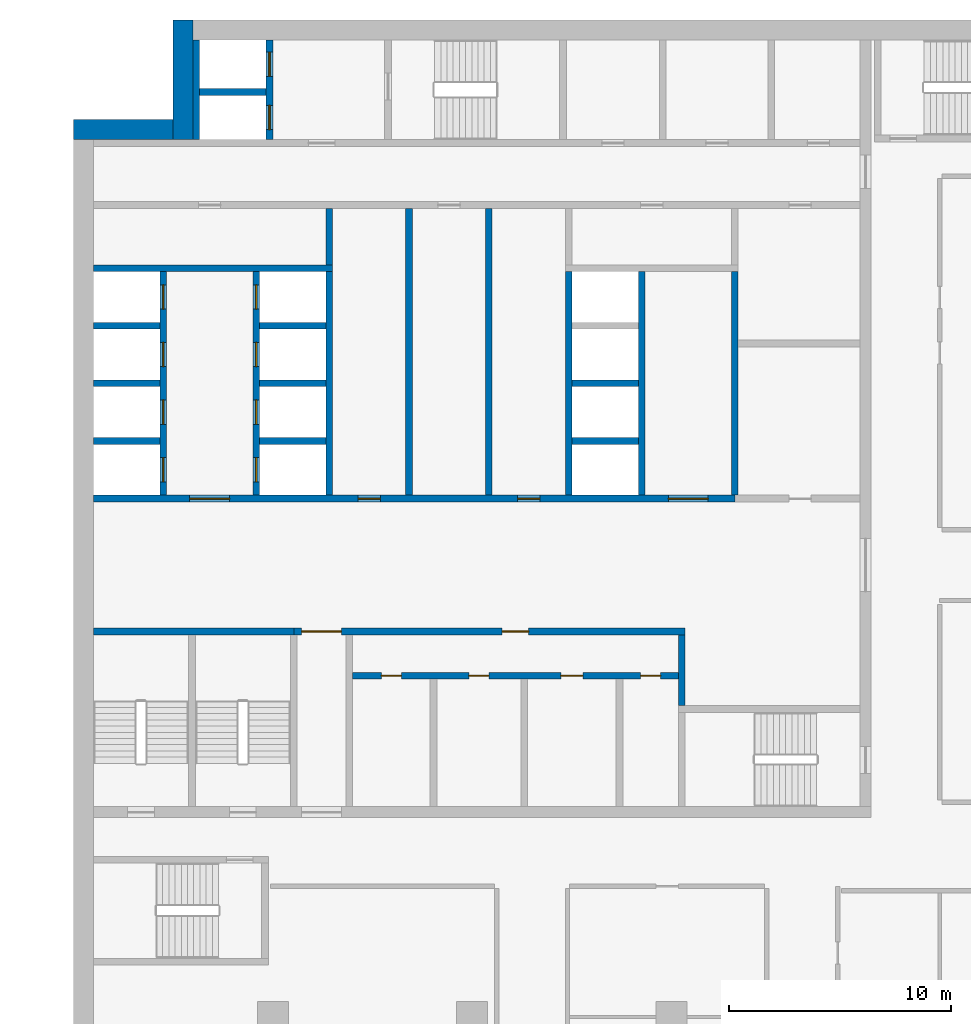
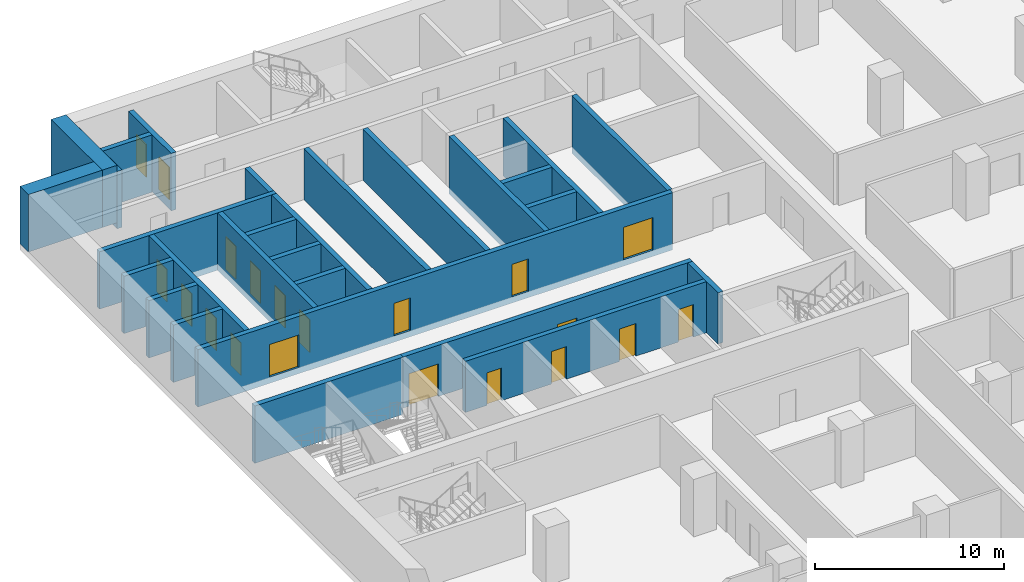
# One storey, part 14 of 29: 28 walls, 20 doors, 20 openings.
"""IFC4 building model written with IfcOpenShell, lengths in metres."""

from ifc_helpers import new_model, si_unit, direction, frame, frame_2d, origin, place, context, subcontext, project, spatial, rectangle, extrude, material, layer, layer_set, type_object, element, fill, save


model = new_model("IFC4")

# Units and contexts
model_context = context("Model", 3, precision=1e-05, world=origin(), true_north=direction((0.0, 1.0)))
body_context = subcontext(model_context, "Body", "Model", "MODEL_VIEW")
ifc_project = project(units=[si_unit("LENGTHUNIT", "METRE"), si_unit("AREAUNIT", "SQUARE_METRE"), si_unit("VOLUMEUNIT", "CUBIC_METRE"), si_unit("PLANEANGLEUNIT", "RADIAN"), si_unit("MASSUNIT", "GRAM", prefix="KILO")], contexts=[model_context])

# Site, building, storey
site_placement = place(None, origin())
site = spatial("IfcSite", under=ifc_project, at=site_placement, CompositionType="ELEMENT")
building_placement = place(site_placement, origin())
building = spatial("IfcBuilding", under=site, at=building_placement, Name="Hunhe Ridgeline Campus", CompositionType="ELEMENT")
storey_placement = place(building_placement, frame((0.0, 0.0, 46.89990234375)))
storey = spatial("IfcBuildingStorey", under=building, at=storey_placement, Name="L10", CompositionType="ELEMENT", Elevation=46.89990234375)

# Wall, openings, doors
ifc_material_1 = material(Name="Masonry concrete blockwork", Category="masonry")
ifc_layer_1 = layer(ifc_material_1, 0.300048828125)
ifc_layer_set_1 = layer_set([ifc_layer_1], Name="Core room partition 300 concrete block")
wall_type_1 = type_object("IfcWallType", Name="Core room partition 300 concrete block", PredefinedType="PARTITIONING", material=ifc_layer_set_1)
wall_1_placement = place(storey_placement, frame((12.60009765625, 69.39990234375, 0.0), z_axis=(0.0, 0.0, 1.0), x_axis=(1.0, 0.0, 0.0)))
wall_1 = element("IfcWall", 1, at=wall_1_placement, inside=storey, type_object=wall_type_1, Name="L10 core partition 11", PredefinedType="PARTITIONING", context=body_context, shape_type="SweptSolid", body=[
    extrude(rectangle(XDim=14.699951171875, YDim=0.300048828125, at=frame_2d((7.35009765625, 0.0))), origin(), (0.0, 0.0, 1.0), 3.300048828125),
])
opening_1_placement = place(wall_1_placement, frame((1.300048828125, 0.0, 0.0)))
opening_1 = element("IfcOpeningElement", 2, at=opening_1_placement, cuts=wall_1, Name="Opening CD8", PredefinedType="OPENING", context=body_context, shape_type="SweptSolid", body=[
    extrude(rectangle(XDim=0.89990234375, YDim=2.10009765625, at=frame_2d((0.449951171875, 1.050048828125))), frame((0.0, 0.14990234375, 0.0), z_axis=(0.0, -1.0, 0.0), x_axis=(1.0, 0.0, 0.0)), (0.0, 0.0, 1.0), 0.300048828125),
])
opening_2_placement = place(wall_1_placement, frame((5.25, 0.0, 0.0)))
opening_2 = element("IfcOpeningElement", 3, at=opening_2_placement, cuts=wall_1, Name="Opening CD9", PredefinedType="OPENING", context=body_context, shape_type="SweptSolid", body=[
    extrude(rectangle(XDim=0.89990234375, YDim=2.10009765625, at=frame_2d((0.449951171875, 1.050048828125))), frame((0.0, 0.14990234375, 0.0), z_axis=(0.0, -1.0, 0.0), x_axis=(1.0, 0.0, 0.0)), (0.0, 0.0, 1.0), 0.300048828125),
])
opening_3_placement = place(wall_1_placement, frame((9.39990234375, 0.0, 0.0)))
opening_3 = element("IfcOpeningElement", 4, at=opening_3_placement, cuts=wall_1, Name="Opening CD10", PredefinedType="OPENING", context=body_context, shape_type="SweptSolid", body=[
    extrude(rectangle(XDim=1.0, YDim=2.10009765625, at=frame_2d((0.5, 1.050048828125))), frame((0.0, 0.14990234375, 0.0), z_axis=(0.0, -1.0, 0.0), x_axis=(1.0, 0.0, 0.0)), (0.0, 0.0, 1.0), 0.300048828125),
])
opening_4_placement = place(wall_1_placement, frame((13.0, 0.0, 0.0)))
opening_4 = element("IfcOpeningElement", 5, at=opening_4_placement, cuts=wall_1, Name="Opening CD11", PredefinedType="OPENING", context=body_context, shape_type="SweptSolid", body=[
    extrude(rectangle(XDim=0.89990234375, YDim=2.10009765625, at=frame_2d((0.449951171875, 1.050048828125))), frame((0.0, 0.14990234375, 0.0), z_axis=(0.0, -1.0, 0.0), x_axis=(1.0, 0.0, 0.0)), (0.0, 0.0, 1.0), 0.300048828125),
])
ifc_material_2 = material(Name="Solid core timber door leaf", Category="wood")
door_type_1 = type_object("IfcDoorType", Name="Timber door 1000x2100", OperationType="SINGLE_SWING_LEFT", PredefinedType="DOOR", material=ifc_material_2)
door_1_placement = place(opening_3_placement, frame((1.0, 0.0, 0.0), z_axis=(0.0, 0.0, 1.0), x_axis=(-1.0, 0.0, 0.0)))
door_1 = element("IfcDoor", 6, at=door_1_placement, inside=storey, type_object=door_type_1, Name="L10 door WC3", OperationType="SINGLE_SWING_RIGHT", OverallHeight=2.10009765625, OverallWidth=1.0, PredefinedType="DOOR", context=body_context, shape_type="SweptSolid", body=[
    extrude(rectangle(XDim=1.0, YDim=2.10009765625, at=frame_2d((0.5, 1.050048828125))), frame((0.0, 0.02490234375, 0.0), z_axis=(0.0, -1.0, 0.0), x_axis=(1.0, 0.0, 0.0)), (0.0, 0.0, 1.0), 0.050048828125),
])
fill(opening_3, door_1)
door_type_2 = type_object("IfcDoorType", Name="Timber door 900x2100", OperationType="SINGLE_SWING_LEFT", PredefinedType="DOOR", material=ifc_material_2)
door_2_placement = place(opening_1_placement, frame((0.89990234375, 0.0, 0.0), z_axis=(0.0, 0.0, 1.0), x_axis=(-1.0, 0.0, 0.0)))
door_2 = element("IfcDoor", 7, at=door_2_placement, inside=storey, type_object=door_type_2, Name="L10 door WC1", OperationType="SINGLE_SWING_RIGHT", OverallHeight=2.10009765625, OverallWidth=0.89990234375, PredefinedType="DOOR", context=body_context, shape_type="SweptSolid", body=[
    extrude(rectangle(XDim=0.89990234375, YDim=2.10009765625, at=frame_2d((0.449951171875, 1.050048828125))), frame((0.0, 0.02490234375, 0.0), z_axis=(0.0, -1.0, 0.0), x_axis=(1.0, 0.0, 0.0)), (0.0, 0.0, 1.0), 0.050048828125),
])
fill(opening_1, door_2)
door_3_placement = place(opening_2_placement, frame((0.89990234375, 0.0, 0.0), z_axis=(0.0, 0.0, 1.0), x_axis=(-1.0, 0.0, 0.0)))
door_3 = element("IfcDoor", 8, at=door_3_placement, inside=storey, type_object=door_type_2, Name="L10 door WC2", OperationType="SINGLE_SWING_LEFT", OverallHeight=2.10009765625, OverallWidth=0.89990234375, PredefinedType="DOOR", context=body_context, shape_type="SweptSolid", body=[
    extrude(rectangle(XDim=0.89990234375, YDim=2.10009765625, at=frame_2d((0.449951171875, 1.050048828125))), frame((0.0, 0.02490234375, 0.0), z_axis=(0.0, -1.0, 0.0), x_axis=(1.0, 0.0, 0.0)), (0.0, 0.0, 1.0), 0.050048828125),
])
fill(opening_2, door_3)
door_4_placement = place(opening_4_placement, frame((0.89990234375, 0.0, 0.0), z_axis=(0.0, 0.0, 1.0), x_axis=(-1.0, 0.0, 0.0)))
door_4 = element("IfcDoor", 9, at=door_4_placement, inside=storey, type_object=door_type_2, Name="L10 door WC4", OperationType="SINGLE_SWING_LEFT", OverallHeight=2.10009765625, OverallWidth=0.89990234375, PredefinedType="DOOR", context=body_context, shape_type="SweptSolid", body=[
    extrude(rectangle(XDim=0.89990234375, YDim=2.10009765625, at=frame_2d((0.449951171875, 1.050048828125))), frame((0.0, 0.02490234375, 0.0), z_axis=(0.0, -1.0, 0.0), x_axis=(1.0, 0.0, 0.0)), (0.0, 0.0, 1.0), 0.050048828125),
])
fill(opening_4, door_4)

wall_2_placement = place(storey_placement, frame((9.949951171875, 71.39990234375, 0.0), z_axis=(0.0, 0.0, 1.0), x_axis=(1.0, 0.0, 0.0)))
wall_2 = element("IfcWall", 10, at=wall_2_placement, inside=storey, type_object=wall_type_1, Name="L10 core partition 13", PredefinedType="PARTITIONING", context=body_context, shape_type="SweptSolid", body=[
    extrude(rectangle(XDim=17.650146484375, YDim=0.300048828125, at=frame_2d((8.8251953125, 0.0))), origin(), (0.0, 0.0, 1.0), 3.300048828125),
])
opening_5_placement = place(wall_2_placement, frame((0.35009765625, 0.0, 0.0)))
opening_5 = element("IfcOpeningElement", 11, at=opening_5_placement, cuts=wall_2, Name="Opening CD7", PredefinedType="OPENING", context=body_context, shape_type="SweptSolid", body=[
    extrude(rectangle(XDim=1.800048828125, YDim=2.10009765625, at=frame_2d((0.89990234375, 1.050048828125))), frame((0.0, 0.14990234375, 0.0), z_axis=(0.0, -1.0, 0.0), x_axis=(1.0, 0.0, 0.0)), (0.0, 0.0, 1.0), 0.300048828125),
])
opening_6_placement = place(wall_2_placement, frame((9.39990234375, 0.0, 0.0)))
opening_6 = element("IfcOpeningElement", 12, at=opening_6_placement, cuts=wall_2, Name="Opening CD12", PredefinedType="OPENING", context=body_context, shape_type="SweptSolid", body=[
    extrude(rectangle(XDim=1.199951171875, YDim=2.10009765625, at=frame_2d((0.60009765625, 1.050048828125))), frame((0.0, 0.14990234375, 0.0), z_axis=(0.0, -1.0, 0.0), x_axis=(1.0, 0.0, 0.0)), (0.0, 0.0, 1.0), 0.300048828125),
])
ifc_material_3 = material(Name="Anodised aluminium and glass", Category="aluminium")
door_type_3 = type_object("IfcDoorType", Name="Glazed double door 1800x2100", OperationType="DOUBLE_DOOR_SINGLE_SWING", PredefinedType="DOOR", material=ifc_material_3)
door_5_placement = place(opening_5_placement, origin())
door_5 = element("IfcDoor", 13, at=door_5_placement, inside=storey, type_object=door_type_3, Name="L10 door VEST-HALL", OperationType="DOUBLE_DOOR_SINGLE_SWING", OverallHeight=2.10009765625, OverallWidth=1.800048828125, PredefinedType="DOOR", context=body_context, shape_type="SweptSolid", body=[
    extrude(rectangle(XDim=1.800048828125, YDim=2.10009765625, at=frame_2d((0.89990234375, 1.050048828125))), frame((0.0, 0.02490234375, 0.0), z_axis=(0.0, -1.0, 0.0), x_axis=(1.0, 0.0, 0.0)), (0.0, 0.0, 1.0), 0.050048828125),
])
fill(opening_5, door_5)
door_type_4 = type_object("IfcDoorType", Name="Timber door 1200x2100", OperationType="SINGLE_SWING_LEFT", PredefinedType="DOOR", material=ifc_material_2)
door_6_placement = place(opening_6_placement, origin())
door_6 = element("IfcDoor", 14, at=door_6_placement, inside=storey, type_object=door_type_4, Name="L10 door WCL2-HALL", OperationType="SINGLE_SWING_LEFT", OverallHeight=2.10009765625, OverallWidth=1.199951171875, PredefinedType="DOOR", context=body_context, shape_type="SweptSolid", body=[
    extrude(rectangle(XDim=1.199951171875, YDim=2.10009765625, at=frame_2d((0.60009765625, 1.050048828125))), frame((0.0, 0.02490234375, 0.0), z_axis=(0.0, -1.0, 0.0), x_axis=(1.0, 0.0, 0.0)), (0.0, 0.0, 1.0), 0.050048828125),
])
fill(opening_6, door_6)

# Walls
wall_3_placement = place(storey_placement, frame((11.550048828125, 87.949951171875, 0.0), z_axis=(0.0, 0.0, 1.0), x_axis=(0.0, 1.0, 0.0)))
element("IfcWall", 15, at=wall_3_placement, inside=storey, type_object=wall_type_1, Name="L10 core partition 44", PredefinedType="PARTITIONING", context=body_context, shape_type="SweptSolid", body=[
    extrude(rectangle(XDim=2.550048828125, YDim=0.300048828125, at=frame_2d((1.27490234375, 0.0))), origin(), (0.0, 0.0, 1.0), 3.300048828125),
])
for number, where, z_axis, x_axis, name in (
    (16, (15.14990234375, 77.550048828125, 0.0), (0.0, 0.0, 1.0), (0.0, 1.0, 0.0), "L10 core partition 47"),
    (17, (18.75, 77.550048828125, 0.0), (0.0, 0.0, 1.0), (0.0, 1.0, 0.0), "L10 core partition 49"),
):
    element("IfcWall", number, at=place(storey_placement, frame(where, z_axis=z_axis, x_axis=x_axis)), inside=storey, type_object=wall_type_1, Name=name, PredefinedType="PARTITIONING", context=body_context, shape_type="SweptSolid", body=[
        extrude(rectangle(XDim=12.949951171875, YDim=0.300048828125, at=frame_2d((6.47509765625, 0.0))), origin(), (0.0, 0.0, 1.0), 3.300048828125),
    ])
wall_4_placement = place(storey_placement, frame((27.449951171875, 68.050048828125, 0.0), z_axis=(0.0, 0.0, 1.0), x_axis=(0.0, 1.0, 0.0)))
element("IfcWall", 18, at=wall_4_placement, inside=storey, type_object=wall_type_1, Name="L10 core partition 60", PredefinedType="PARTITIONING", context=body_context, shape_type="SweptSolid", body=[
    extrude(rectangle(XDim=3.199951171875, YDim=0.300048828125, at=frame_2d((1.60009765625, 0.0))), origin(), (0.0, 0.0, 1.0), 3.300048828125),
])
ifc_material_4 = material(Name="Concrete C80", Category="concrete")
ifc_layer_2 = layer(ifc_material_4, 0.300048828125)
ifc_layer_set_2 = layer_set([ifc_layer_2], Name="Lobby wall 300 reinforced concrete C80")
wall_type_2 = type_object("IfcWallType", Name="Lobby wall 300 reinforced concrete C80", PredefinedType="SOLIDWALL", material=ifc_layer_set_2)
wall_5_placement = place(storey_placement, frame((29.85009765625, 77.550048828125, -0.39990234375), z_axis=(0.0, 0.0, 1.0), x_axis=(0.0, 1.0, 0.0)))
element("IfcWall", 19, at=wall_5_placement, inside=storey, type_object=wall_type_2, Name="L10 core wall 61", PredefinedType="SOLIDWALL", context=body_context, shape_type="SweptSolid", body=[
    extrude(rectangle(XDim=10.099853515625, YDim=0.300048828125, at=frame_2d((5.0498046875, 0.0))), origin(), (0.0, 0.0, 1.0), 3.699951171875),
])

# Wall, openings, doors
ifc_layer_3 = layer(ifc_material_4, 0.300048828125)
ifc_layer_set_3 = layer_set([ifc_layer_3], Name="Shaft wall 300 reinforced concrete C80")
wall_type_3 = type_object("IfcWallType", Name="Shaft wall 300 reinforced concrete C80", PredefinedType="SOLIDWALL", material=ifc_layer_set_3)
wall_6_placement = place(storey_placement, frame((0.89990234375, 77.39990234375, -0.39990234375), z_axis=(0.0, 0.0, 1.0), x_axis=(1.0, 0.0, 0.0)))
wall_6 = element("IfcWall", 20, at=wall_6_placement, inside=storey, type_object=wall_type_3, Name="L10 core wall 14", PredefinedType="SOLIDWALL", context=body_context, shape_type="SweptSolid", body=[
    extrude(rectangle(XDim=28.9501953125, YDim=0.300048828125, at=frame_2d((14.47509765625, 0.0))), origin(), (0.0, 0.0, 1.0), 3.699951171875),
])
opening_7_placement = place(wall_6_placement, frame((4.35009765625, 0.0, 0.39990234375)))
opening_7 = element("IfcOpeningElement", 21, at=opening_7_placement, cuts=wall_6, Name="Opening CD1", PredefinedType="OPENING", context=body_context, shape_type="SweptSolid", body=[
    extrude(rectangle(XDim=1.800048828125, YDim=2.10009765625, at=frame_2d((0.89990234375, 1.050048828125))), frame((0.0, 0.14990234375, 0.0), z_axis=(0.0, -1.0, 0.0), x_axis=(1.0, 0.0, 0.0)), (0.0, 0.0, 1.0), 0.300048828125),
])
opening_8_placement = place(wall_6_placement, frame((25.949951171875, 0.0, 0.39990234375)))
opening_8 = element("IfcOpeningElement", 22, at=opening_8_placement, cuts=wall_6, Name="Opening CD2", PredefinedType="OPENING", context=body_context, shape_type="SweptSolid", body=[
    extrude(rectangle(XDim=1.800048828125, YDim=2.10009765625, at=frame_2d((0.89990234375, 1.050048828125))), frame((0.0, 0.14990234375, 0.0), z_axis=(0.0, -1.0, 0.0), x_axis=(1.0, 0.0, 0.0)), (0.0, 0.0, 1.0), 0.300048828125),
])
opening_9_placement = place(wall_6_placement, frame((11.949951171875, 0.0, 0.39990234375)))
opening_9 = element("IfcOpeningElement", 23, at=opening_9_placement, cuts=wall_6, Name="Opening CD28", PredefinedType="OPENING", context=body_context, shape_type="SweptSolid", body=[
    extrude(rectangle(XDim=1.0, YDim=2.10009765625, at=frame_2d((0.5, 1.050048828125))), frame((0.0, 0.14990234375, 0.0), z_axis=(0.0, -1.0, 0.0), x_axis=(1.0, 0.0, 0.0)), (0.0, 0.0, 1.0), 0.300048828125),
])
opening_10_placement = place(wall_6_placement, frame((19.14990234375, 0.0, 0.39990234375)))
opening_10 = element("IfcOpeningElement", 24, at=opening_10_placement, cuts=wall_6, Name="Opening CD30", PredefinedType="OPENING", context=body_context, shape_type="SweptSolid", body=[
    extrude(rectangle(XDim=1.0, YDim=2.10009765625, at=frame_2d((0.5, 1.050048828125))), frame((0.0, 0.14990234375, 0.0), z_axis=(0.0, -1.0, 0.0), x_axis=(1.0, 0.0, 0.0)), (0.0, 0.0, 1.0), 0.300048828125),
])
ifc_material_5 = material(Name="Hollow metal fire door leaf")
door_type_5 = type_object("IfcDoorType", Name="Lobby door 1800x2100 FD60", OperationType="SINGLE_SWING_LEFT", PredefinedType="DOOR", material=ifc_material_5)
door_7_placement = place(opening_7_placement, frame((1.800048828125, 0.0, 0.0), z_axis=(0.0, 0.0, 1.0), x_axis=(-1.0, 0.0, 0.0)))
door_7 = element("IfcDoor", 25, at=door_7_placement, inside=storey, type_object=door_type_5, Name="L10 door LOB-LR", OperationType="SINGLE_SWING_RIGHT", OverallHeight=2.10009765625, OverallWidth=1.800048828125, PredefinedType="DOOR", context=body_context, shape_type="SweptSolid", body=[
    extrude(rectangle(XDim=1.800048828125, YDim=2.10009765625, at=frame_2d((0.89990234375, 1.050048828125))), frame((0.0, 0.02490234375, 0.0), z_axis=(0.0, -1.0, 0.0), x_axis=(1.0, 0.0, 0.0)), (0.0, 0.0, 1.0), 0.050048828125),
])
fill(opening_7, door_7)
door_8_placement = place(opening_8_placement, frame((1.800048828125, 0.0, 0.0), z_axis=(0.0, 0.0, 1.0), x_axis=(-1.0, 0.0, 0.0)))
door_8 = element("IfcDoor", 26, at=door_8_placement, inside=storey, type_object=door_type_5, Name="L10 door LOB-SH", OperationType="SINGLE_SWING_LEFT", OverallHeight=2.10009765625, OverallWidth=1.800048828125, PredefinedType="DOOR", context=body_context, shape_type="SweptSolid", body=[
    extrude(rectangle(XDim=1.800048828125, YDim=2.10009765625, at=frame_2d((0.89990234375, 1.050048828125))), frame((0.0, 0.02490234375, 0.0), z_axis=(0.0, -1.0, 0.0), x_axis=(1.0, 0.0, 0.0)), (0.0, 0.0, 1.0), 0.050048828125),
])
fill(opening_8, door_8)
door_9_placement = place(opening_9_placement, origin())
door_9 = element("IfcDoor", 27, at=door_9_placement, inside=storey, type_object=door_type_1, Name="L10 door VD-HR0", OperationType="SINGLE_SWING_LEFT", OverallHeight=2.10009765625, OverallWidth=1.0, PredefinedType="DOOR", context=body_context, shape_type="SweptSolid", body=[
    extrude(rectangle(XDim=1.0, YDim=2.10009765625, at=frame_2d((0.5, 1.050048828125))), frame((0.0, 0.02490234375, 0.0), z_axis=(0.0, -1.0, 0.0), x_axis=(1.0, 0.0, 0.0)), (0.0, 0.0, 1.0), 0.050048828125),
])
fill(opening_9, door_9)
door_10_placement = place(opening_10_placement, origin())
door_10 = element("IfcDoor", 28, at=door_10_placement, inside=storey, type_object=door_type_1, Name="L10 door VD-HR2", OperationType="SINGLE_SWING_LEFT", OverallHeight=2.10009765625, OverallWidth=1.0, PredefinedType="DOOR", context=body_context, shape_type="SweptSolid", body=[
    extrude(rectangle(XDim=1.0, YDim=2.10009765625, at=frame_2d((0.5, 1.050048828125))), frame((0.0, 0.02490234375, 0.0), z_axis=(0.0, -1.0, 0.0), x_axis=(1.0, 0.0, 0.0)), (0.0, 0.0, 1.0), 0.050048828125),
])
fill(opening_10, door_10)

# Walls
for number, where, z_axis, x_axis, name in (
    (29, (0.89990234375, 80.0, -0.39990234375), (0.0, 0.0, 1.0), (1.0, 0.0, 0.0), "L10 core wall 16"),
    (30, (8.39990234375, 80.0, -0.39990234375), (0.0, 0.0, 1.0), (1.0, 0.0, 0.0), "L10 core wall 17"),
    (31, (22.5, 80.0, -0.39990234375), (0.0, 0.0, 1.0), (1.0, 0.0, 0.0), "L10 core wall 18"),
    (32, (0.89990234375, 82.60009765625, -0.39990234375), (0.0, 0.0, 1.0), (1.0, 0.0, 0.0), "L10 core wall 19"),
    (33, (8.39990234375, 82.60009765625, -0.39990234375), (0.0, 0.0, 1.0), (1.0, 0.0, 0.0), "L10 core wall 20"),
    (34, (22.5, 82.60009765625, -0.39990234375), (0.0, 0.0, 1.0), (1.0, 0.0, 0.0), "L10 core wall 21"),
    (35, (0.89990234375, 85.199951171875, -0.39990234375), (0.0, 0.0, 1.0), (1.0, 0.0, 0.0), "L10 core wall 23"),
    (36, (8.39990234375, 85.199951171875, -0.39990234375), (0.0, 0.0, 1.0), (1.0, 0.0, 0.0), "L10 core wall 24"),
):
    element("IfcWall", number, at=place(storey_placement, frame(where, z_axis=z_axis, x_axis=x_axis)), inside=storey, type_object=wall_type_3, Name=name, PredefinedType="SOLIDWALL", context=body_context, shape_type="SweptSolid", body=[
        extrude(rectangle(XDim=3.0, YDim=0.300048828125, at=frame_2d((1.5, 0.0))), origin(), (0.0, 0.0, 1.0), 3.699951171875),
    ])
wall_7_placement = place(storey_placement, frame((0.89990234375, 87.800048828125, -0.39990234375), z_axis=(0.0, 0.0, 1.0), x_axis=(1.0, 0.0, 0.0)))
element("IfcWall", 37, at=wall_7_placement, inside=storey, type_object=wall_type_3, Name="L10 core wall 26", PredefinedType="SOLIDWALL", context=body_context, shape_type="SweptSolid", body=[
    extrude(rectangle(XDim=10.800048828125, YDim=0.300048828125, at=frame_2d((5.39990234375, 0.0))), origin(), (0.0, 0.0, 1.0), 3.699951171875),
])
wall_8_placement = place(storey_placement, frame((5.699951171875, 95.75, -0.39990234375), z_axis=(0.0, 0.0, 1.0), x_axis=(1.0, 0.0, 0.0)))
element("IfcWall", 38, at=wall_8_placement, inside=storey, type_object=wall_type_3, Name="L10 core wall 34", PredefinedType="SOLIDWALL", context=body_context, shape_type="SweptSolid", body=[
    extrude(rectangle(XDim=3.0, YDim=0.300048828125, at=frame_2d((1.5, 0.0))), origin(), (0.0, 0.0, 1.0), 3.699951171875),
])

# Wall, openings, doors
wall_9_placement = place(storey_placement, frame((4.050048828125, 77.550048828125, -0.39990234375), z_axis=(0.0, 0.0, 1.0), x_axis=(0.0, 1.0, 0.0)))
wall_9 = element("IfcWall", 39, at=wall_9_placement, inside=storey, type_object=wall_type_3, Name="L10 core wall 35", PredefinedType="SOLIDWALL", context=body_context, shape_type="SweptSolid", body=[
    extrude(rectangle(XDim=10.099853515625, YDim=0.300048828125, at=frame_2d((5.0498046875, 0.0))), origin(), (0.0, 0.0, 1.0), 3.699951171875),
])
opening_11_placement = place(wall_9_placement, frame((0.60009765625, 0.0, 0.39990234375)))
opening_11 = element("IfcOpeningElement", 40, at=opening_11_placement, cuts=wall_9, Name="Opening LD-LR1", PredefinedType="OPENING", context=body_context, shape_type="SweptSolid", body=[
    extrude(rectangle(XDim=1.10009765625, YDim=2.10009765625, at=frame_2d((0.550048828125, 1.050048828125))), frame((0.0, 0.14990234375, 0.0), z_axis=(0.0, -1.0, 0.0), x_axis=(1.0, 0.0, 0.0)), (0.0, 0.0, 1.0), 0.300048828125),
])
opening_12_placement = place(wall_9_placement, frame((3.199951171875, 0.0, 0.39990234375)))
opening_12 = element("IfcOpeningElement", 41, at=opening_12_placement, cuts=wall_9, Name="Opening LD-LR2", PredefinedType="OPENING", context=body_context, shape_type="SweptSolid", body=[
    extrude(rectangle(XDim=1.10009765625, YDim=2.10009765625, at=frame_2d((0.550048828125, 1.050048828125))), frame((0.0, 0.14990234375, 0.0), z_axis=(0.0, -1.0, 0.0), x_axis=(1.0, 0.0, 0.0)), (0.0, 0.0, 1.0), 0.300048828125),
])
opening_13_placement = place(wall_9_placement, frame((5.800048828125, 0.0, 0.39990234375)))
opening_13 = element("IfcOpeningElement", 42, at=opening_13_placement, cuts=wall_9, Name="Opening LD-LR3", PredefinedType="OPENING", context=body_context, shape_type="SweptSolid", body=[
    extrude(rectangle(XDim=1.10009765625, YDim=2.10009765625, at=frame_2d((0.550048828125, 1.050048828125))), frame((0.0, 0.14990234375, 0.0), z_axis=(0.0, -1.0, 0.0), x_axis=(1.0, 0.0, 0.0)), (0.0, 0.0, 1.0), 0.300048828125),
])
opening_14_placement = place(wall_9_placement, frame((8.39990234375, 0.0, 0.39990234375)))
opening_14 = element("IfcOpeningElement", 43, at=opening_14_placement, cuts=wall_9, Name="Opening LD-LR4", PredefinedType="OPENING", context=body_context, shape_type="SweptSolid", body=[
    extrude(rectangle(XDim=1.10009765625, YDim=2.10009765625, at=frame_2d((0.550048828125, 1.050048828125))), frame((0.0, 0.14990234375, 0.0), z_axis=(0.0, -1.0, 0.0), x_axis=(1.0, 0.0, 0.0)), (0.0, 0.0, 1.0), 0.300048828125),
])
ifc_material_6 = material(Name="Stainless steel sliding leaves", Category="steel")
door_type_6 = type_object("IfcDoorType", Name="Landing door 1100x2100 FD120", OperationType="SLIDING_TO_LEFT", PredefinedType="DOOR", material=ifc_material_6)
door_11_placement = place(opening_11_placement, origin())
door_11 = element("IfcDoor", 44, at=door_11_placement, inside=storey, type_object=door_type_6, Name="L10 landing door LR1", OperationType="SLIDING_TO_RIGHT", OverallHeight=2.10009765625, OverallWidth=1.10009765625, PredefinedType="DOOR", context=body_context, shape_type="SweptSolid", body=[
    extrude(rectangle(XDim=1.10009765625, YDim=2.10009765625, at=frame_2d((0.550048828125, 1.050048828125))), frame((0.0, 0.02490234375, 0.0), z_axis=(0.0, -1.0, 0.0), x_axis=(1.0, 0.0, 0.0)), (0.0, 0.0, 1.0), 0.050048828125),
])
fill(opening_11, door_11)
door_12_placement = place(opening_12_placement, origin())
door_12 = element("IfcDoor", 45, at=door_12_placement, inside=storey, type_object=door_type_6, Name="L10 landing door LR2", OperationType="SLIDING_TO_LEFT", OverallHeight=2.10009765625, OverallWidth=1.10009765625, PredefinedType="DOOR", context=body_context, shape_type="SweptSolid", body=[
    extrude(rectangle(XDim=1.10009765625, YDim=2.10009765625, at=frame_2d((0.550048828125, 1.050048828125))), frame((0.0, 0.02490234375, 0.0), z_axis=(0.0, -1.0, 0.0), x_axis=(1.0, 0.0, 0.0)), (0.0, 0.0, 1.0), 0.050048828125),
])
fill(opening_12, door_12)
door_13_placement = place(opening_13_placement, origin())
door_13 = element("IfcDoor", 46, at=door_13_placement, inside=storey, type_object=door_type_6, Name="L10 landing door LR3", OperationType="SLIDING_TO_RIGHT", OverallHeight=2.10009765625, OverallWidth=1.10009765625, PredefinedType="DOOR", context=body_context, shape_type="SweptSolid", body=[
    extrude(rectangle(XDim=1.10009765625, YDim=2.10009765625, at=frame_2d((0.550048828125, 1.050048828125))), frame((0.0, 0.02490234375, 0.0), z_axis=(0.0, -1.0, 0.0), x_axis=(1.0, 0.0, 0.0)), (0.0, 0.0, 1.0), 0.050048828125),
])
fill(opening_13, door_13)
door_14_placement = place(opening_14_placement, origin())
door_14 = element("IfcDoor", 47, at=door_14_placement, inside=storey, type_object=door_type_6, Name="L10 landing door LR4", OperationType="SLIDING_TO_LEFT", OverallHeight=2.10009765625, OverallWidth=1.10009765625, PredefinedType="DOOR", context=body_context, shape_type="SweptSolid", body=[
    extrude(rectangle(XDim=1.10009765625, YDim=2.10009765625, at=frame_2d((0.550048828125, 1.050048828125))), frame((0.0, 0.02490234375, 0.0), z_axis=(0.0, -1.0, 0.0), x_axis=(1.0, 0.0, 0.0)), (0.0, 0.0, 1.0), 0.050048828125),
])
fill(opening_14, door_14)

# Wall
wall_10_placement = place(storey_placement, frame((5.550048828125, 93.60009765625, -0.39990234375), z_axis=(0.0, 0.0, 1.0), x_axis=(0.0, 1.0, 0.0)))
element("IfcWall", 48, at=wall_10_placement, inside=storey, type_object=wall_type_3, Name="L10 core wall 37", PredefinedType="SOLIDWALL", context=body_context, shape_type="SweptSolid", body=[
    extrude(rectangle(XDim=4.5, YDim=0.300048828125, at=frame_2d((2.25, 0.0))), origin(), (0.0, 0.0, 1.0), 3.699951171875),
])

# Wall, openings, doors
wall_11_placement = place(storey_placement, frame((8.25, 77.550048828125, -0.39990234375), z_axis=(0.0, 0.0, 1.0), x_axis=(0.0, 1.0, 0.0)))
wall_11 = element("IfcWall", 49, at=wall_11_placement, inside=storey, type_object=wall_type_3, Name="L10 core wall 38", PredefinedType="SOLIDWALL", context=body_context, shape_type="SweptSolid", body=[
    extrude(rectangle(XDim=10.099853515625, YDim=0.300048828125, at=frame_2d((5.0498046875, 0.0))), origin(), (0.0, 0.0, 1.0), 3.699951171875),
])
opening_15_placement = place(wall_11_placement, frame((0.60009765625, 0.0, 0.39990234375)))
opening_15 = element("IfcOpeningElement", 50, at=opening_15_placement, cuts=wall_11, Name="Opening LD-LR5", PredefinedType="OPENING", context=body_context, shape_type="SweptSolid", body=[
    extrude(rectangle(XDim=1.10009765625, YDim=2.10009765625, at=frame_2d((0.550048828125, 1.050048828125))), frame((0.0, 0.14990234375, 0.0), z_axis=(0.0, -1.0, 0.0), x_axis=(1.0, 0.0, 0.0)), (0.0, 0.0, 1.0), 0.300048828125),
])
opening_16_placement = place(wall_11_placement, frame((3.199951171875, 0.0, 0.39990234375)))
opening_16 = element("IfcOpeningElement", 51, at=opening_16_placement, cuts=wall_11, Name="Opening LD-LR6", PredefinedType="OPENING", context=body_context, shape_type="SweptSolid", body=[
    extrude(rectangle(XDim=1.10009765625, YDim=2.10009765625, at=frame_2d((0.550048828125, 1.050048828125))), frame((0.0, 0.14990234375, 0.0), z_axis=(0.0, -1.0, 0.0), x_axis=(1.0, 0.0, 0.0)), (0.0, 0.0, 1.0), 0.300048828125),
])
opening_17_placement = place(wall_11_placement, frame((5.800048828125, 0.0, 0.39990234375)))
opening_17 = element("IfcOpeningElement", 52, at=opening_17_placement, cuts=wall_11, Name="Opening LD-LR7", PredefinedType="OPENING", context=body_context, shape_type="SweptSolid", body=[
    extrude(rectangle(XDim=1.10009765625, YDim=2.10009765625, at=frame_2d((0.550048828125, 1.050048828125))), frame((0.0, 0.14990234375, 0.0), z_axis=(0.0, -1.0, 0.0), x_axis=(1.0, 0.0, 0.0)), (0.0, 0.0, 1.0), 0.300048828125),
])
opening_18_placement = place(wall_11_placement, frame((8.39990234375, 0.0, 0.39990234375)))
opening_18 = element("IfcOpeningElement", 53, at=opening_18_placement, cuts=wall_11, Name="Opening LD-LR8", PredefinedType="OPENING", context=body_context, shape_type="SweptSolid", body=[
    extrude(rectangle(XDim=1.10009765625, YDim=2.10009765625, at=frame_2d((0.550048828125, 1.050048828125))), frame((0.0, 0.14990234375, 0.0), z_axis=(0.0, -1.0, 0.0), x_axis=(1.0, 0.0, 0.0)), (0.0, 0.0, 1.0), 0.300048828125),
])
door_15_placement = place(opening_15_placement, origin())
door_15 = element("IfcDoor", 54, at=door_15_placement, inside=storey, type_object=door_type_6, Name="L10 landing door LR5", OperationType="SLIDING_TO_RIGHT", OverallHeight=2.10009765625, OverallWidth=1.10009765625, PredefinedType="DOOR", context=body_context, shape_type="SweptSolid", body=[
    extrude(rectangle(XDim=1.10009765625, YDim=2.10009765625, at=frame_2d((0.550048828125, 1.050048828125))), frame((0.0, 0.02490234375, 0.0), z_axis=(0.0, -1.0, 0.0), x_axis=(1.0, 0.0, 0.0)), (0.0, 0.0, 1.0), 0.050048828125),
])
fill(opening_15, door_15)
door_16_placement = place(opening_16_placement, origin())
door_16 = element("IfcDoor", 55, at=door_16_placement, inside=storey, type_object=door_type_6, Name="L10 landing door LR6", OperationType="SLIDING_TO_LEFT", OverallHeight=2.10009765625, OverallWidth=1.10009765625, PredefinedType="DOOR", context=body_context, shape_type="SweptSolid", body=[
    extrude(rectangle(XDim=1.10009765625, YDim=2.10009765625, at=frame_2d((0.550048828125, 1.050048828125))), frame((0.0, 0.02490234375, 0.0), z_axis=(0.0, -1.0, 0.0), x_axis=(1.0, 0.0, 0.0)), (0.0, 0.0, 1.0), 0.050048828125),
])
fill(opening_16, door_16)
door_17_placement = place(opening_17_placement, origin())
door_17 = element("IfcDoor", 56, at=door_17_placement, inside=storey, type_object=door_type_6, Name="L10 landing door LR7", OperationType="SLIDING_TO_RIGHT", OverallHeight=2.10009765625, OverallWidth=1.10009765625, PredefinedType="DOOR", context=body_context, shape_type="SweptSolid", body=[
    extrude(rectangle(XDim=1.10009765625, YDim=2.10009765625, at=frame_2d((0.550048828125, 1.050048828125))), frame((0.0, 0.02490234375, 0.0), z_axis=(0.0, -1.0, 0.0), x_axis=(1.0, 0.0, 0.0)), (0.0, 0.0, 1.0), 0.050048828125),
])
fill(opening_17, door_17)
door_18_placement = place(opening_18_placement, origin())
door_18 = element("IfcDoor", 57, at=door_18_placement, inside=storey, type_object=door_type_6, Name="L10 landing door LR8", OperationType="SLIDING_TO_LEFT", OverallHeight=2.10009765625, OverallWidth=1.10009765625, PredefinedType="DOOR", context=body_context, shape_type="SweptSolid", body=[
    extrude(rectangle(XDim=1.10009765625, YDim=2.10009765625, at=frame_2d((0.550048828125, 1.050048828125))), frame((0.0, 0.02490234375, 0.0), z_axis=(0.0, -1.0, 0.0), x_axis=(1.0, 0.0, 0.0)), (0.0, 0.0, 1.0), 0.050048828125),
])
fill(opening_18, door_18)

wall_12_placement = place(storey_placement, frame((8.85009765625, 93.60009765625, -0.39990234375), z_axis=(0.0, 0.0, 1.0), x_axis=(0.0, 1.0, 0.0)))
wall_12 = element("IfcWall", 58, at=wall_12_placement, inside=storey, type_object=wall_type_3, Name="L10 core wall 41", PredefinedType="SOLIDWALL", context=body_context, shape_type="SweptSolid", body=[
    extrude(rectangle(XDim=4.5, YDim=0.300048828125, at=frame_2d((2.25, 0.0))), origin(), (0.0, 0.0, 1.0), 3.699951171875),
])
opening_19_placement = place(wall_12_placement, frame((0.449951171875, 0.0, 0.39990234375)))
opening_19 = element("IfcOpeningElement", 59, at=opening_19_placement, cuts=wall_12, Name="Opening LD-FF1", PredefinedType="OPENING", context=body_context, shape_type="SweptSolid", body=[
    extrude(rectangle(XDim=1.10009765625, YDim=2.10009765625, at=frame_2d((0.550048828125, 1.050048828125))), frame((0.0, 0.14990234375, 0.0), z_axis=(0.0, -1.0, 0.0), x_axis=(1.0, 0.0, 0.0)), (0.0, 0.0, 1.0), 0.300048828125),
])
opening_20_placement = place(wall_12_placement, frame((2.85009765625, 0.0, 0.39990234375)))
opening_20 = element("IfcOpeningElement", 60, at=opening_20_placement, cuts=wall_12, Name="Opening LD-FF2", PredefinedType="OPENING", context=body_context, shape_type="SweptSolid", body=[
    extrude(rectangle(XDim=1.10009765625, YDim=2.10009765625, at=frame_2d((0.550048828125, 1.050048828125))), frame((0.0, 0.14990234375, 0.0), z_axis=(0.0, -1.0, 0.0), x_axis=(1.0, 0.0, 0.0)), (0.0, 0.0, 1.0), 0.300048828125),
])
door_19_placement = place(opening_19_placement, origin())
door_19 = element("IfcDoor", 61, at=door_19_placement, inside=storey, type_object=door_type_6, Name="L10 landing door FF1", OperationType="SLIDING_TO_RIGHT", OverallHeight=2.10009765625, OverallWidth=1.10009765625, PredefinedType="DOOR", context=body_context, shape_type="SweptSolid", body=[
    extrude(rectangle(XDim=1.10009765625, YDim=2.10009765625, at=frame_2d((0.550048828125, 1.050048828125))), frame((0.0, 0.02490234375, 0.0), z_axis=(0.0, -1.0, 0.0), x_axis=(1.0, 0.0, 0.0)), (0.0, 0.0, 1.0), 0.050048828125),
])
fill(opening_19, door_19)
door_20_placement = place(opening_20_placement, origin())
door_20 = element("IfcDoor", 62, at=door_20_placement, inside=storey, type_object=door_type_6, Name="L10 landing door FF2", OperationType="SLIDING_TO_LEFT", OverallHeight=2.10009765625, OverallWidth=1.10009765625, PredefinedType="DOOR", context=body_context, shape_type="SweptSolid", body=[
    extrude(rectangle(XDim=1.10009765625, YDim=2.10009765625, at=frame_2d((0.550048828125, 1.050048828125))), frame((0.0, 0.02490234375, 0.0), z_axis=(0.0, -1.0, 0.0), x_axis=(1.0, 0.0, 0.0)), (0.0, 0.0, 1.0), 0.050048828125),
])
fill(opening_20, door_20)

# Walls
for number, where, z_axis, x_axis, name in (
    (63, (11.550048828125, 77.550048828125, -0.39990234375), (0.0, 0.0, 1.0), (0.0, 1.0, 0.0), "L10 core wall 43"),
    (64, (22.35009765625, 77.550048828125, -0.39990234375), (0.0, 0.0, 1.0), (0.0, 1.0, 0.0), "L10 core wall 53"),
    (65, (25.64990234375, 77.550048828125, -0.39990234375), (0.0, 0.0, 1.0), (0.0, 1.0, 0.0), "L10 core wall 57"),
):
    element("IfcWall", number, at=place(storey_placement, frame(where, z_axis=z_axis, x_axis=x_axis)), inside=storey, type_object=wall_type_3, Name=name, PredefinedType="SOLIDWALL", context=body_context, shape_type="SweptSolid", body=[
        extrude(rectangle(XDim=10.099853515625, YDim=0.300048828125, at=frame_2d((5.0498046875, 0.0))), origin(), (0.0, 0.0, 1.0), 3.699951171875),
    ])
ifc_layer_4 = layer(ifc_material_4, 0.89990234375)
ifc_layer_set_4 = layer_set([ifc_layer_4], Name="Spine wall 900 Concrete C80")
wall_type_4 = type_object("IfcWallType", Name="Spine wall 900 Concrete C80", PredefinedType="SHEAR", material=ifc_layer_set_4)
for number, where, z_axis, x_axis, name in (
    (66, (4.949951171875, 99.0, 0.0), (0.0, 0.0, 1.0), (0.0, -1.0, 0.0), "Spine wall SW1-5 L10"),
    (67, (5.400146484375, 94.050048828125, 0.0), (0.0, 0.0, 1.0), (-1.0, 0.0, 0.0), "Spine wall SW1-6 L10"),
):
    element("IfcWall", number, at=place(storey_placement, frame(where, z_axis=z_axis, x_axis=x_axis)), inside=storey, type_object=wall_type_4, Name=name, PredefinedType="SHEAR", context=body_context, shape_type="SweptSolid", body=[
        extrude(rectangle(XDim=5.400146484375, YDim=0.89990234375, at=frame_2d((2.7001953125, 0.0))), origin(), (0.0, 0.0, 1.0), 3.7001953125),
    ])
ifc_layer_5 = layer(ifc_material_4, 0.300048828125)
ifc_layer_set_5 = layer_set([ifc_layer_5], Name="Stair wall 300 reinforced concrete C80")
wall_type_5 = type_object("IfcWallType", Name="Stair wall 300 reinforced concrete C80", PredefinedType="SOLIDWALL", material=ifc_layer_set_5)
wall_13_placement = place(storey_placement, frame((0.89990234375, 71.39990234375, -0.39990234375), z_axis=(0.0, 0.0, 1.0), x_axis=(1.0, 0.0, 0.0)))
element("IfcWall", 68, at=wall_13_placement, inside=storey, type_object=wall_type_5, Name="L10 core wall 12", PredefinedType="SOLIDWALL", context=body_context, shape_type="SweptSolid", body=[
    extrude(rectangle(XDim=9.050048828125, YDim=0.300048828125, at=frame_2d((4.52490234375, 0.0))), origin(), (0.0, 0.0, 1.0), 3.699951171875),
])

save(model, "model.ifc")
